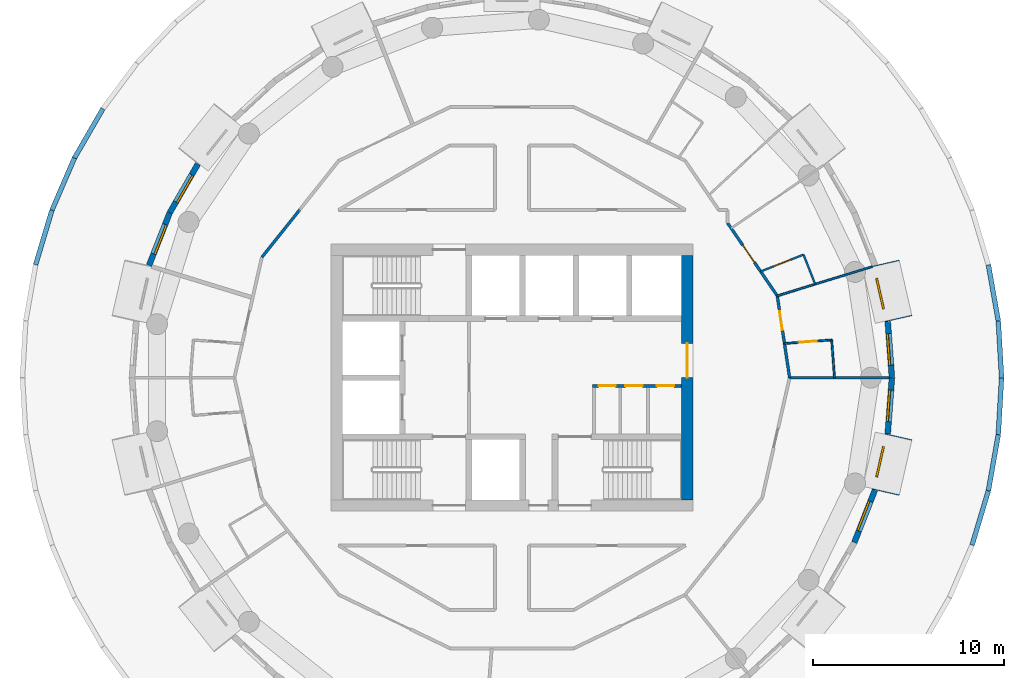
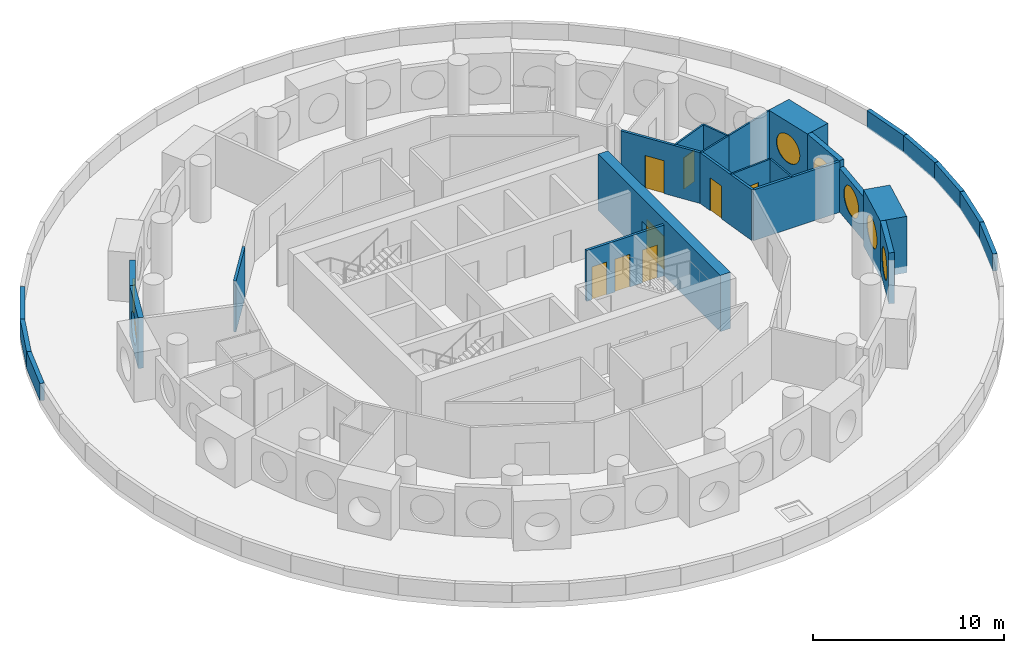
# One storey, part 7 of 13: 27 walls, 8 doors, 7 windows, 15 openings.
"""IFC4 building model written with IfcOpenShell, lengths in metres."""

import ifcopenshell
import ifcopenshell.guid

model = None  # the IFC model being written
_history = None  # IfcOwnerHistory: only IFC2X3 demands one
_inside = {}  # id of a spatial element -> (the spatial element, [elements in it])
_under = {}  # id of a project, library or spatial element -> (it, [spatial elements below it])
_declared = {}  # id of a project -> (the project, [libraries it declares])
_typed = {}  # id of a type object -> (the type object, [elements of that type])
_made_of = {}  # id of a material, layer set ... -> (it, [elements and type objects made of it])


def new_model(schema):
    """Start an empty IFC model of exactly this schema.

    Asked for "IFC4X3", IfcOpenShell would pick the latest addendum, in which some entities
    have other attributes; the version numbers below select the first issue.
    IFC2X3 requires an IfcOwnerHistory on every rooted entity: one is made here for all.
    """
    global model, _history
    if schema == "IFC4X3":
        model = ifcopenshell.file(schema_version=(4, 3, 0, 0))
    else:
        model = ifcopenshell.file(schema=schema)
    _inside.clear()
    _under.clear()
    _declared.clear()
    _typed.clear()
    _made_of.clear()
    _history = None
    if model.schema == "IFC2X3":
        org = make("IfcOrganization", Name="unknown")
        user = make(
            "IfcPersonAndOrganization",
            ThePerson=make("IfcPerson", FamilyName="unknown"),
            TheOrganization=org,
        )
        app = make(
            "IfcApplication",
            ApplicationDeveloper=org,
            Version="unknown",
            ApplicationFullName="unknown",
            ApplicationIdentifier="unknown",
        )
        _history = make(
            "IfcOwnerHistory",
            OwningUser=user,
            OwningApplication=app,
            ChangeAction="ADDED",
            CreationDate=0,
        )
    return model


def make(cls, **values):
    """One entity of the class cls with the attributes given. An attribute that is None is left unset."""
    return model.create_entity(
        cls, **{name: value for name, value in values.items() if value is not None}
    )


def rooted(cls, **values):
    """An entity with a GlobalId (a new one), such as an element, a storey or a relation."""
    return make(cls, GlobalId=ifcopenshell.guid.new(), OwnerHistory=_history, **values)


def si_unit(unit_type, name, prefix=None):
    """IfcSIUnit, for example si_unit("LENGTHUNIT", "METRE", prefix="MILLI")."""
    return make("IfcSIUnit", UnitType=unit_type, Prefix=prefix, Name=name)


def assignment(units):
    """IfcUnitAssignment: the units of a project."""
    return None if units is None else make("IfcUnitAssignment", Units=units)


def point(xyz):
    """IfcCartesianPoint."""
    return None if xyz is None else make("IfcCartesianPoint", Coordinates=xyz)


def direction(xyz):
    """IfcDirection."""
    return None if xyz is None else make("IfcDirection", DirectionRatios=xyz)


def frame(location, z_axis=None, x_axis=None):
    """IfcAxis2Placement3D, a coordinate frame: its origin and axes. An axis left out is left unset."""
    return make(
        "IfcAxis2Placement3D",
        Location=point(location),
        Axis=direction(z_axis),
        RefDirection=direction(x_axis),
    )


def frame_2d(location, x_axis=None):
    """IfcAxis2Placement2D, a coordinate frame in the plane: its origin and x axis."""
    return make(
        "IfcAxis2Placement2D", Location=point(location), RefDirection=direction(x_axis)
    )


def origin():
    """The frame at (0, 0, 0) with its axes left unset."""
    return frame((0.0, 0.0, 0.0))


def origin_2d():
    """The frame at (0, 0) in the plane with its x axis left unset."""
    return frame_2d((0.0, 0.0))


def place(relative_to, where):
    """IfcLocalPlacement: puts the frame where relative to a parent placement (None: the world)."""
    return make(
        "IfcLocalPlacement", PlacementRelTo=relative_to, RelativePlacement=where
    )


def context(
    kind, dimensions, precision=None, world=None, true_north=None, identifier=None
):
    """IfcGeometricRepresentationContext, for example the 3D "Model" context."""
    return make(
        "IfcGeometricRepresentationContext",
        ContextIdentifier=identifier,
        ContextType=kind,
        CoordinateSpaceDimension=dimensions,
        Precision=precision,
        WorldCoordinateSystem=world,
        TrueNorth=true_north,
    )


def subcontext(parent, identifier, kind, view, scale=None):
    """IfcGeometricRepresentationSubContext, for example "Body" below "Model"."""
    return make(
        "IfcGeometricRepresentationSubContext",
        ContextIdentifier=identifier,
        ContextType=kind,
        ParentContext=parent,
        TargetScale=scale,
        TargetView=view,
    )


def project(units=None, contexts=None):
    """IfcProject with its units and contexts."""
    return rooted(
        "IfcProject",
        Name="project",
        RepresentationContexts=contexts,
        UnitsInContext=assignment(units),
    )


def spatial(cls, under=None, at=None, **own):
    """A site, building, storey or space (cls), placed at a placement, below another one or the project."""
    s = rooted(cls, ObjectPlacement=at, **own)
    if under is not None:
        _under.setdefault(under.id(), (under, []))[1].append(s)
    return s


def profile(cls, at=None, kind="AREA", **sizes):
    """A parametric profile (cls). Its sizes go by their IFC names, for example OverallWidth=200.0."""
    return make(cls, ProfileType=kind, Position=at, **sizes)


def rectangle(**sizes):
    """IfcRectangleProfileDef."""
    return profile("IfcRectangleProfileDef", **sizes)


def circle(**sizes):
    """IfcCircleProfileDef."""
    return profile("IfcCircleProfileDef", **sizes)


def extrude(swept, where, along, depth):
    """IfcExtrudedAreaSolid: the profile swept, set in the frame where, extruded along a direction by depth."""
    return make(
        "IfcExtrudedAreaSolid",
        SweptArea=swept,
        Position=where,
        ExtrudedDirection=direction(along),
        Depth=depth,
    )


def shape(context_of_items, identifier, shape_type, items):
    """IfcShapeRepresentation: the items that make up one representation, for example the "Body"."""
    return make(
        "IfcShapeRepresentation",
        ContextOfItems=context_of_items,
        RepresentationIdentifier=identifier,
        RepresentationType=shape_type,
        Items=items,
    )


def material(Name=None, Category=None):
    """IfcMaterial."""
    return make("IfcMaterial", Name=Name, Category=Category)


def layer(
    of_material, thickness, ventilated=None, Name=None, Category=None, Priority=None
):
    """IfcMaterialLayer: one layer of a wall or slab, of a material (None: an air gap)."""
    return make(
        "IfcMaterialLayer",
        Material=of_material,
        LayerThickness=thickness,
        IsVentilated=ventilated,
        Name=Name,
        Category=Category,
        Priority=Priority,
    )


def layer_set(layers, Name=None):
    """IfcMaterialLayerSet."""
    return make("IfcMaterialLayerSet", MaterialLayers=layers, LayerSetName=Name)


def made_of(thing, what):
    """Note that an element or type object is made of a material, layer set ...; save() writes the relation."""
    if what is not None:
        _made_of.setdefault(what.id(), (what, []))[1].append(thing)
    return thing


def type_object(cls, material=None, **own):
    """A type object (cls), such as IfcWallType, which elements share."""
    return made_of(rooted(cls, **own), material)


def element(
    cls,
    number,
    at=None,
    inside=None,
    cuts=None,
    type_object=None,
    material=None,
    context=None,
    identifier="Body",
    shape_type=None,
    held_by="IfcProductDefinitionShape",
    body=None,
    shapes=None,
    **own,
):
    """One element of the class cls, such as IfcWall. Its Tag is "e" and its number.

    at: its placement. inside: the storey or other place that contains it. cuts: it is an
    opening in that element (IfcRelVoidsElement). A single representation is given by context,
    identifier, shape_type and body (its items); several are given by shapes. held_by: the class
    of the entity that holds the representations. save() writes the other relations.
    """
    e = rooted(cls, Tag="e%d" % number, ObjectPlacement=at, **own)
    if body is not None:
        shapes = [shape(context, identifier, shape_type, body)]
    if shapes is not None:
        e.Representation = make(held_by, Representations=shapes)
    if inside is not None:
        _inside.setdefault(inside.id(), (inside, []))[1].append(e)
    if cuts is not None:
        rooted(
            "IfcRelVoidsElement", RelatingBuildingElement=cuts, RelatedOpeningElement=e
        )
    if type_object is not None:
        _typed.setdefault(type_object.id(), (type_object, []))[1].append(e)
    return made_of(e, material)


def fill(opening, filler):
    """IfcRelFillsElement: the door or window that sits in an opening."""
    return rooted(
        "IfcRelFillsElement",
        RelatingOpeningElement=opening,
        RelatedBuildingElement=filler,
    )


def aggregate(whole, parts):
    """IfcRelAggregates: a whole, such as a stair, and the parts it consists of."""
    return rooted("IfcRelAggregates", RelatingObject=whole, RelatedObjects=parts)


def save(model, path):
    """Write the relations noted so far, then the file.

    IfcRelAggregates (storeys below a building ...), IfcRelContainedInSpatialStructure (elements
    in a storey), IfcRelDefinesByType, IfcRelAssociatesMaterial and IfcRelDeclares: one each for
    every whole, place, type object, material and project.
    """
    for whole, parts in _under.values():
        aggregate(whole, parts)
    for where, things in _inside.values():
        rooted(
            "IfcRelContainedInSpatialStructure",
            RelatedElements=things,
            RelatingStructure=where,
        )
    for kind, things in _typed.values():
        rooted("IfcRelDefinesByType", RelatedObjects=things, RelatingType=kind)
    for what, things in _made_of.values():
        rooted("IfcRelAssociatesMaterial", RelatedObjects=things, RelatingMaterial=what)
    for by, libraries in _declared.values():
        rooted("IfcRelDeclares", RelatingContext=by, RelatedDefinitions=libraries)
    model.write(path)


model = new_model("IFC4")

# Units and contexts
model_context = context("Model", 3, precision=1e-05, world=origin(), true_north=direction((0.0, 1.0)))
body_context = subcontext(model_context, "Body", "Model", "MODEL_VIEW")
ifc_project = project(units=[si_unit("LENGTHUNIT", "METRE"), si_unit("AREAUNIT", "SQUARE_METRE"), si_unit("VOLUMEUNIT", "CUBIC_METRE"), si_unit("PLANEANGLEUNIT", "RADIAN"), si_unit("MASSUNIT", "GRAM", prefix="KILO")], contexts=[model_context])

# Site, building, storey
site_placement = place(None, origin())
site = spatial("IfcSite", under=ifc_project, at=site_placement, CompositionType="ELEMENT")
building_placement = place(site_placement, origin())
building = spatial("IfcBuilding", under=site, at=building_placement, Name="Tracery Tower", CompositionType="ELEMENT")
storey_placement = place(building_placement, frame((0.0, 0.0, 231.0)))
storey = spatial("IfcBuildingStorey", under=building, at=storey_placement, Name="L59", CompositionType="ELEMENT", Elevation=231.0)

# Wall, openings, doors
ifc_material_1 = material(Name="Plasterboard on steel studs", Category="steel")
ifc_layer_1 = layer(ifc_material_1, 0.14990234375)
ifc_layer_set_1 = layer_set([ifc_layer_1], Name="Core room partition 150")
wall_type_1 = type_object("IfcWallType", Name="Core room partition 150", PredefinedType="SOLIDWALL", material=ifc_layer_set_1)
wall_1_placement = place(storey_placement, frame((4.22509765625, -0.425048828125, 0.0), z_axis=(0.0, 0.0, 1.0), x_axis=(1.0, 0.0, 0.0)))
wall_1 = element("IfcWall", 1, at=wall_1_placement, inside=storey, type_object=wall_type_1, Name="L59 slot N", PredefinedType="SOLIDWALL", context=body_context, shape_type="SweptSolid", body=[
    extrude(rectangle(XDim=4.6748046875, YDim=0.14990234375, at=frame_2d((2.33740234375, 0.0))), origin(), (0.0, 0.0, 1.0), 3.25),
])
opening_1_placement = place(wall_1_placement, frame((0.3125, 0.0, 0.0)))
opening_1 = element("IfcOpeningElement", 2, at=opening_1_placement, cuts=wall_1, Name="Opening KD32", PredefinedType="OPENING", context=body_context, shape_type="SweptSolid", body=[
    extrude(rectangle(XDim=0.89990234375, YDim=2.10009765625, at=frame_2d((0.449951171875, 1.050048828125))), frame((0.0, 0.074951171875, 0.0), z_axis=(0.0, -1.0, 0.0), x_axis=(1.0, 0.0, 0.0)), (0.0, 0.0, 1.0), 0.14990234375),
])
opening_2_placement = place(wall_1_placement, frame((1.72509765625, 0.0, 0.0)))
opening_2 = element("IfcOpeningElement", 3, at=opening_2_placement, cuts=wall_1, Name="Opening KD26", PredefinedType="OPENING", context=body_context, shape_type="SweptSolid", body=[
    extrude(rectangle(XDim=0.89990234375, YDim=2.10009765625, at=frame_2d((0.449951171875, 1.050048828125))), frame((0.0, 0.074951171875, 0.0), z_axis=(0.0, -1.0, 0.0), x_axis=(1.0, 0.0, 0.0)), (0.0, 0.0, 1.0), 0.14990234375),
])
opening_3_placement = place(wall_1_placement, frame((3.375, 0.0, 0.0)))
opening_3 = element("IfcOpeningElement", 4, at=opening_3_placement, cuts=wall_1, Name="Opening KD22", PredefinedType="OPENING", context=body_context, shape_type="SweptSolid", body=[
    extrude(rectangle(XDim=0.89990234375, YDim=2.10009765625, at=frame_2d((0.449951171875, 1.050048828125))), frame((0.0, 0.074951171875, 0.0), z_axis=(0.0, -1.0, 0.0), x_axis=(1.0, 0.0, 0.0)), (0.0, 0.0, 1.0), 0.14990234375),
])
ifc_material_2 = material(Name="Timber door leaf", Category="wood")
door_type_1 = type_object("IfcDoorType", Name="Core WC door 900", OperationType="NOTDEFINED", PredefinedType="DOOR", material=ifc_material_2)
door_1_placement = place(opening_3_placement, origin())
door_1 = element("IfcDoor", 5, at=door_1_placement, inside=storey, type_object=door_type_1, Name="Core door", OperationType="SINGLE_SWING_RIGHT", OverallHeight=2.10009765625, OverallWidth=0.89990234375, PredefinedType="DOOR", context=body_context, shape_type="SweptSolid", body=[
    extrude(rectangle(XDim=0.89990234375, YDim=2.10009765625, at=frame_2d((0.449951171875, 1.050048828125))), frame((0.0, 0.02490234375, 0.0), z_axis=(0.0, -1.0, 0.0), x_axis=(1.0, 0.0, 0.0)), (0.0, 0.0, 1.0), 0.050048828125),
])
fill(opening_3, door_1)
ifc_material_3 = material(Name="Steel fire door", Category="steel")
door_type_2 = type_object("IfcDoorType", Name="Core riser door 900", OperationType="NOTDEFINED", PredefinedType="DOOR", material=ifc_material_3)
door_2_placement = place(opening_1_placement, origin())
door_2 = element("IfcDoor", 6, at=door_2_placement, inside=storey, type_object=door_type_2, Name="Core door", OperationType="SINGLE_SWING_RIGHT", OverallHeight=2.10009765625, OverallWidth=0.89990234375, PredefinedType="DOOR", context=body_context, shape_type="SweptSolid", body=[
    extrude(rectangle(XDim=0.89990234375, YDim=2.10009765625, at=frame_2d((0.449951171875, 1.050048828125))), frame((0.0, 0.02490234375, 0.0), z_axis=(0.0, -1.0, 0.0), x_axis=(1.0, 0.0, 0.0)), (0.0, 0.0, 1.0), 0.050048828125),
])
fill(opening_1, door_2)
ifc_material_4 = material(Name="Timber door leaf", Category="wood")
door_type_3 = type_object("IfcDoorType", Name="Core store door 900", OperationType="NOTDEFINED", PredefinedType="DOOR", material=ifc_material_4)
door_3_placement = place(opening_2_placement, origin())
door_3 = element("IfcDoor", 7, at=door_3_placement, inside=storey, type_object=door_type_3, Name="Core door", OperationType="SINGLE_SWING_LEFT", OverallHeight=2.10009765625, OverallWidth=0.89990234375, PredefinedType="DOOR", context=body_context, shape_type="SweptSolid", body=[
    extrude(rectangle(XDim=0.89990234375, YDim=2.10009765625, at=frame_2d((0.449951171875, 1.050048828125))), frame((0.0, 0.02490234375, 0.0), z_axis=(0.0, -1.0, 0.0), x_axis=(1.0, 0.0, 0.0)), (0.0, 0.0, 1.0), 0.050048828125),
])
fill(opening_2, door_3)

# Wall, opening, door
ifc_material_5 = material(Name="Concrete C40/50", Category="concrete")
ifc_layer_2 = layer(ifc_material_5, 0.60009765625)
ifc_layer_set_2 = layer_set([ifc_layer_2], Name="Core wall 600 C40")
wall_type_2 = type_object("IfcWallType", Name="Core wall 600 C40", PredefinedType="SOLIDWALL", material=ifc_layer_set_2)
wall_2_placement = place(storey_placement, frame((9.199951171875, -6.39990234375, 0.0), z_axis=(0.0, 0.0, 1.0), x_axis=(0.0, 1.0, 0.0)))
wall_2 = element("IfcWall", 8, at=wall_2_placement, inside=storey, type_object=wall_type_2, Name="L59 outer E", PredefinedType="SOLIDWALL", context=body_context, shape_type="SweptSolid", body=[
    extrude(rectangle(XDim=12.7998046875, YDim=0.60009765625, at=frame_2d((6.39990234375, 0.0))), origin(), (0.0, 0.0, 1.0), 3.60009765625),
])
opening_4_placement = place(wall_2_placement, frame((6.39990234375, 0.0, 0.0)))
opening_4 = element("IfcOpeningElement", 9, at=opening_4_placement, cuts=wall_2, Name="Opening KD13", PredefinedType="OPENING", context=body_context, shape_type="SweptSolid", body=[
    extrude(rectangle(XDim=1.800048828125, YDim=2.10009765625, at=frame_2d((0.89990234375, 1.050048828125))), frame((0.0, 0.300048828125, 0.0), z_axis=(0.0, -1.0, 0.0), x_axis=(1.0, 0.0, 0.0)), (0.0, 0.0, 1.0), 0.60009765625),
])
ifc_material_6 = material(Name="Steel fire door", Category="steel")
door_type_4 = type_object("IfcDoorType", Name="Core exit door 1800 double", OperationType="NOTDEFINED", PredefinedType="DOOR", material=ifc_material_6)
door_4_placement = place(opening_4_placement, origin())
door_4 = element("IfcDoor", 10, at=door_4_placement, inside=storey, type_object=door_type_4, Name="Core exit door", OperationType="DOUBLE_DOOR_SINGLE_SWING", OverallHeight=2.10009765625, OverallWidth=1.800048828125, PredefinedType="DOOR", context=body_context, shape_type="SweptSolid", body=[
    extrude(rectangle(XDim=1.800048828125, YDim=2.10009765625, at=frame_2d((0.89990234375, 1.050048828125))), frame((0.0, 0.02490234375, 0.0), z_axis=(0.0, -1.0, 0.0), x_axis=(1.0, 0.0, 0.0)), (0.0, 0.0, 1.0), 0.050048828125),
])
fill(opening_4, door_4)

# Wall, opening, window
ifc_material_7 = material(Name="Precast concrete C50/60", Category="concrete")
ifc_layer_3 = layer(ifc_material_7, 1.449951171875)
ifc_layer_set_3 = layer_set([ifc_layer_3], Name="Deep-set bay unit 3000 x 3600, slab edge 350")
wall_type_3 = type_object("IfcWallType", Name="Deep-set bay unit 3000 x 3600, slab edge 350", PredefinedType="ELEMENTEDWALL", material=ifc_layer_set_3)
wall_3_placement = place(storey_placement, frame((20.262451171875, 3.086181640625, -0.35009765625), z_axis=(0.0, 0.0, 1.0), x_axis=(-0.222570682856, 0.974916555985, 0.0)))
wall_3 = element("IfcWall", 11, at=wall_3_placement, inside=storey, type_object=wall_type_3, Name="Deep-set bay unit 2 at L59", PredefinedType="ELEMENTEDWALL", context=body_context, shape_type="SweptSolid", body=[
    extrude(rectangle(XDim=3.0, YDim=1.449951171875, at=frame_2d((1.5, 0.0))), origin(), (0.0, 0.0, 1.0), 3.60009765625),
])
opening_5_placement = place(wall_3_placement, frame((1.5, 0.0, 1.89990234375)))
opening_5 = element("IfcOpeningElement", 12, at=opening_5_placement, cuts=wall_3, Name="Opening WN1", PredefinedType="OPENING", context=body_context, shape_type="SweptSolid", body=[
    extrude(circle(Radius=0.9000244140625, at=origin_2d()), frame((0.0, 0.73486328125, 0.0), z_axis=(0.0, -1.0, 0.0), x_axis=(1.0, 0.0, 0.0)), (0.0, 0.0, 1.0), 1.469970703125),
])
ifc_material_8 = material(Name="Aluminium frame with tinted double glazing", Category="aluminium")
window_type = type_object("IfcWindowType", Name="Round window 1800", PartitioningType="SINGLE_PANEL", PredefinedType="WINDOW", material=ifc_material_8)
window_1_placement = place(opening_5_placement, origin())
window_1 = element("IfcWindow", 13, at=window_1_placement, inside=storey, type_object=window_type, Name="Round window 2 at L59", OverallHeight=1.800048828125, OverallWidth=1.800048828125, PartitioningType="SINGLE_PANEL", PredefinedType="WINDOW", context=body_context, shape_type="SweptSolid", body=[
    extrude(circle(Radius=0.9000244140625, at=origin_2d()), frame((0.0, 0.69482421875, 0.0), z_axis=(0.0, -1.0, 0.0), x_axis=(1.0, 0.0, 0.0)), (0.0, 0.0, 1.0), 0.10009765625),
])
fill(opening_5, window_1)

wall_4_placement = place(storey_placement, frame((19.5947265625, -6.010986328125, -0.35009765625), z_axis=(0.0, 0.0, 1.0), x_axis=(0.222570682856, 0.974916555985, 0.0)))
wall_4 = element("IfcWall", 14, at=wall_4_placement, inside=storey, type_object=wall_type_3, Name="Deep-set bay unit 41 at L59", PredefinedType="ELEMENTEDWALL", context=body_context, shape_type="SweptSolid", body=[
    extrude(rectangle(XDim=3.0, YDim=1.449951171875, at=frame_2d((1.5, 0.0))), origin(), (0.0, 0.0, 1.0), 3.60009765625),
])
opening_6_placement = place(wall_4_placement, frame((1.5, 0.0, 1.89990234375)))
opening_6 = element("IfcOpeningElement", 15, at=opening_6_placement, cuts=wall_4, Name="Opening WN1", PredefinedType="OPENING", context=body_context, shape_type="SweptSolid", body=[
    extrude(circle(Radius=0.9000244140625, at=origin_2d()), frame((0.0, 0.73486328125, 0.0), z_axis=(0.0, -1.0, 0.0), x_axis=(1.0, 0.0, 0.0)), (0.0, 0.0, 1.0), 1.469970703125),
])
window_2_placement = place(opening_6_placement, origin())
window_2 = element("IfcWindow", 16, at=window_2_placement, inside=storey, type_object=window_type, Name="Round window 41 at L59", OverallHeight=1.800048828125, OverallWidth=1.800048828125, PartitioningType="SINGLE_PANEL", PredefinedType="WINDOW", context=body_context, shape_type="SweptSolid", body=[
    extrude(circle(Radius=0.9000244140625, at=origin_2d()), frame((0.0, 0.69482421875, 0.0), z_axis=(0.0, -1.0, 0.0), x_axis=(1.0, 0.0, 0.0)), (0.0, 0.0, 1.0), 0.10009765625),
])
fill(opening_6, window_2)

ifc_material_9 = material(Name="Precast concrete C50/60", Category="concrete")
ifc_layer_4 = layer(ifc_material_9, 0.300048828125)
ifc_layer_set_4 = layer_set([ifc_layer_4], Name="Facade panel 3000 x 2800")
wall_type_4 = type_object("IfcWallType", Name="Facade panel 3000 x 2800", PredefinedType="SOLIDWALL", material=ifc_layer_set_4)
wall_5_placement = place(storey_placement, frame((-16.4677734375, 11.209228515625, 0.0), z_axis=(0.0, 0.0, 1.0), x_axis=(-0.500012570604, -0.866018146021, 0.0)))
wall_5 = element("IfcWall", 17, at=wall_5_placement, inside=storey, type_object=wall_type_4, Name="Facade panel 18 at L59", PredefinedType="SOLIDWALL", context=body_context, shape_type="SweptSolid", body=[
    extrude(rectangle(XDim=2.96240234375, YDim=0.300048828125, at=frame_2d((1.481201171875, 0.0))), origin(), (0.0, 0.0, 1.0), 2.800048828125),
])
opening_7_placement = place(wall_5_placement, frame((1.48095703125, 0.0, 1.5498046875)))
opening_7 = element("IfcOpeningElement", 18, at=opening_7_placement, cuts=wall_5, Name="Opening WN1", PredefinedType="OPENING", context=body_context, shape_type="SweptSolid", body=[
    extrude(circle(Radius=0.9000244140625, at=origin_2d()), frame((0.0, 0.159912109375, 0.0), z_axis=(0.0, -1.0, 0.0), x_axis=(1.0, 0.0, 0.0)), (0.0, 0.0, 1.0), 0.320068359375),
])
window_3_placement = place(opening_7_placement, origin())
window_3 = element("IfcWindow", 19, at=window_3_placement, inside=storey, type_object=window_type, Name="Round window 18 at L59", OverallHeight=1.800048828125, OverallWidth=1.800048828125, PartitioningType="SINGLE_PANEL", PredefinedType="WINDOW", context=body_context, shape_type="SweptSolid", body=[
    extrude(circle(Radius=0.9000244140625, at=origin_2d()), frame((0.0, 0.1201171875, 0.0), z_axis=(0.0, -1.0, 0.0), x_axis=(1.0, 0.0, 0.0)), (0.0, 0.0, 1.0), 0.10009765625),
])
fill(opening_7, window_3)

wall_6_placement = place(storey_placement, frame((19.700439453125, -2.953857421875, 0.0), z_axis=(0.0, 0.0, 1.0), x_axis=(0.074755115547, 0.997201921729, 0.0)))
wall_6 = element("IfcWall", 20, at=wall_6_placement, inside=storey, type_object=wall_type_4, Name="Facade panel 42 at L59", PredefinedType="SOLIDWALL", context=body_context, shape_type="SweptSolid", body=[
    extrude(rectangle(XDim=2.962158203125, YDim=0.300048828125, at=frame_2d((1.48095703125, 0.0))), origin(), (0.0, 0.0, 1.0), 2.800048828125),
])
opening_8_placement = place(wall_6_placement, frame((1.48095703125, 0.0, 1.5498046875)))
opening_8 = element("IfcOpeningElement", 21, at=opening_8_placement, cuts=wall_6, Name="Opening WN1", PredefinedType="OPENING", context=body_context, shape_type="SweptSolid", body=[
    extrude(circle(Radius=0.9000244140625, at=origin_2d()), frame((0.0, 0.159912109375, 0.0), z_axis=(0.0, -1.0, 0.0), x_axis=(1.0, 0.0, 0.0)), (0.0, 0.0, 1.0), 0.320068359375),
])
window_4_placement = place(opening_8_placement, origin())
window_4 = element("IfcWindow", 22, at=window_4_placement, inside=storey, type_object=window_type, Name="Round window 42 at L59", OverallHeight=1.800048828125, OverallWidth=1.800048828125, PartitioningType="SINGLE_PANEL", PredefinedType="WINDOW", context=body_context, shape_type="SweptSolid", body=[
    extrude(circle(Radius=0.9000244140625, at=origin_2d()), frame((0.0, 0.1201171875, 0.0), z_axis=(0.0, -1.0, 0.0), x_axis=(1.0, 0.0, 0.0)), (0.0, 0.0, 1.0), 0.10009765625),
])
fill(opening_8, window_4)

ifc_material_10 = material(Name="Precast concrete C50/60", Category="concrete")
ifc_layer_5 = layer(ifc_material_10, 0.300048828125)
ifc_layer_set_5 = layer_set([ifc_layer_5], Name="Facade panel 3000 x 3250")
wall_type_5 = type_object("IfcWallType", Name="Facade panel 3000 x 3250", PredefinedType="SOLIDWALL", material=ifc_layer_set_5)
wall_7_placement = place(storey_placement, frame((19.921875, 0.0, 0.0), z_axis=(0.0, 0.0, 1.0), x_axis=(-0.074755115547, 0.997201921729, 0.0)))
wall_7 = element("IfcWall", 23, at=wall_7_placement, inside=storey, type_object=wall_type_5, Name="Facade panel 1 at L59", PredefinedType="SOLIDWALL", context=body_context, shape_type="SweptSolid", body=[
    extrude(rectangle(XDim=2.962158203125, YDim=0.300048828125, at=frame_2d((1.48095703125, 0.0))), origin(), (0.0, 0.0, 1.0), 3.25),
])
opening_9_placement = place(wall_7_placement, frame((1.48095703125, 0.0, 1.5498046875)))
opening_9 = element("IfcOpeningElement", 24, at=opening_9_placement, cuts=wall_7, Name="Opening WN1", PredefinedType="OPENING", context=body_context, shape_type="SweptSolid", body=[
    extrude(circle(Radius=0.9000244140625, at=origin_2d()), frame((0.0, 0.159912109375, 0.0), z_axis=(0.0, -1.0, 0.0), x_axis=(1.0, 0.0, 0.0)), (0.0, 0.0, 1.0), 0.320068359375),
])
window_5_placement = place(opening_9_placement, origin())
window_5 = element("IfcWindow", 25, at=window_5_placement, inside=storey, type_object=window_type, Name="Round window 1 at L59", OverallHeight=1.800048828125, OverallWidth=1.800048828125, PartitioningType="SINGLE_PANEL", PredefinedType="WINDOW", context=body_context, shape_type="SweptSolid", body=[
    extrude(circle(Radius=0.9000244140625, at=origin_2d()), frame((0.0, 0.1201171875, 0.0), z_axis=(0.0, -1.0, 0.0), x_axis=(1.0, 0.0, 0.0)), (0.0, 0.0, 1.0), 0.10009765625),
])
fill(opening_9, window_5)

wall_8_placement = place(storey_placement, frame((-17.948974609375, 8.643798828125, 0.0), z_axis=(0.0, 0.0, 1.0), x_axis=(-0.365343821297, -0.930872650925, 0.0)))
wall_8 = element("IfcWall", 26, at=wall_8_placement, inside=storey, type_object=wall_type_5, Name="Facade panel 19 at L59", PredefinedType="SOLIDWALL", context=body_context, shape_type="SweptSolid", body=[
    extrude(rectangle(XDim=2.96240234375, YDim=0.300048828125, at=frame_2d((1.481201171875, 0.0))), origin(), (0.0, 0.0, 1.0), 3.25),
])
opening_10_placement = place(wall_8_placement, frame((1.48095703125, 0.0, 1.5498046875)))
opening_10 = element("IfcOpeningElement", 27, at=opening_10_placement, cuts=wall_8, Name="Opening WN1", PredefinedType="OPENING", context=body_context, shape_type="SweptSolid", body=[
    extrude(circle(Radius=0.9000244140625, at=origin_2d()), frame((0.0, 0.159912109375, 0.0), z_axis=(0.0, -1.0, 0.0), x_axis=(1.0, 0.0, 0.0)), (0.0, 0.0, 1.0), 0.320068359375),
])
window_6_placement = place(opening_10_placement, origin())
window_6 = element("IfcWindow", 28, at=window_6_placement, inside=storey, type_object=window_type, Name="Round window 19 at L59", OverallHeight=1.800048828125, OverallWidth=1.800048828125, PartitioningType="SINGLE_PANEL", PredefinedType="WINDOW", context=body_context, shape_type="SweptSolid", body=[
    extrude(circle(Radius=0.9000244140625, at=origin_2d()), frame((0.0, 0.1201171875, 0.0), z_axis=(0.0, -1.0, 0.0), x_axis=(1.0, 0.0, 0.0)), (0.0, 0.0, 1.0), 0.10009765625),
])
fill(opening_10, window_6)

wall_9_placement = place(storey_placement, frame((17.948974609375, -8.643798828125, 0.0), z_axis=(0.0, 0.0, 1.0), x_axis=(0.365343821297, 0.930872650925, 0.0)))
wall_9 = element("IfcWall", 29, at=wall_9_placement, inside=storey, type_object=wall_type_5, Name="Facade panel 40 at L59", PredefinedType="SOLIDWALL", context=body_context, shape_type="SweptSolid", body=[
    extrude(rectangle(XDim=2.96240234375, YDim=0.300048828125, at=frame_2d((1.481201171875, 0.0))), origin(), (0.0, 0.0, 1.0), 3.25),
])
opening_11_placement = place(wall_9_placement, frame((1.48095703125, 0.0, 1.5498046875)))
opening_11 = element("IfcOpeningElement", 30, at=opening_11_placement, cuts=wall_9, Name="Opening WN1", PredefinedType="OPENING", context=body_context, shape_type="SweptSolid", body=[
    extrude(circle(Radius=0.9000244140625, at=origin_2d()), frame((0.0, 0.159912109375, 0.0), z_axis=(0.0, -1.0, 0.0), x_axis=(1.0, 0.0, 0.0)), (0.0, 0.0, 1.0), 0.320068359375),
])
window_7_placement = place(opening_11_placement, origin())
window_7 = element("IfcWindow", 31, at=window_7_placement, inside=storey, type_object=window_type, Name="Round window 40 at L59", OverallHeight=1.800048828125, OverallWidth=1.800048828125, PartitioningType="SINGLE_PANEL", PredefinedType="WINDOW", context=body_context, shape_type="SweptSolid", body=[
    extrude(circle(Radius=0.9000244140625, at=origin_2d()), frame((0.0, 0.1201171875, 0.0), z_axis=(0.0, -1.0, 0.0), x_axis=(1.0, 0.0, 0.0)), (0.0, 0.0, 1.0), 0.10009765625),
])
fill(opening_11, window_7)

# Walls
ifc_material_11 = material(Name="Plasterboard on steel studs", Category="steel")
ifc_layer_6 = layer(ifc_material_11, 0.10009765625)
ifc_layer_set_6 = layer_set([ifc_layer_6], Name="Partition 100 stud")
wall_type_6 = type_object("IfcWallType", Name="Partition 100 stud", PredefinedType="PARTITIONING", material=ifc_layer_set_6)
wall_10_placement = place(storey_placement, frame((15.89599609375, 4.904052734375, 0.0), z_axis=(0.0, 0.0, 1.0), x_axis=(0.955630770746, 0.294567190983, 0.0)))
element("IfcWall", 32, at=wall_10_placement, inside=storey, type_object=wall_type_6, Name="Stud partition RC1-049", PredefinedType="PARTITIONING", context=body_context, shape_type="SweptSolid", body=[
    extrude(rectangle(XDim=3.13623046875, YDim=0.10009765625, at=frame_2d((1.568115234375, 0.0))), origin(), (0.0, 0.0, 1.0), 3.25),
])
ifc_material_12 = material(Name="Plasterboard on steel studs", Category="steel")
ifc_layer_7 = layer(ifc_material_12, 0.10009765625)
ifc_layer_set_7 = layer_set([ifc_layer_7], Name="Partition 100 wet wall")
wall_type_7 = type_object("IfcWallType", Name="Partition 100 wet wall", PredefinedType="PARTITIONING", material=ifc_layer_set_7)
wall_11_placement = place(storey_placement, frame((15.287109375, 6.4541015625, 0.0), z_axis=(0.0, 0.0, 1.0), x_axis=(0.365620622357, -0.930763966056, 0.0)))
element("IfcWall", 33, at=wall_11_placement, inside=storey, type_object=wall_type_7, Name="Wet wall RC1-047", PredefinedType="PARTITIONING", context=body_context, shape_type="SweptSolid", body=[
    extrude(rectangle(XDim=1.665283203125, YDim=0.10009765625, at=frame_2d((0.83251953125, 0.0))), origin(), (0.0, 0.0, 1.0), 3.25),
])

# Wall, opening, door
wall_12_placement = place(storey_placement, frame((13.037109375, 5.571044921875, 0.0), z_axis=(0.0, 0.0, 1.0), x_axis=(0.930874211086, 0.365339846083, 0.0)))
wall_12 = element("IfcWall", 34, at=wall_12_placement, inside=storey, type_object=wall_type_7, Name="Wet wall RC1-048", PredefinedType="PARTITIONING", context=body_context, shape_type="SweptSolid", body=[
    extrude(rectangle(XDim=2.4169921875, YDim=0.10009765625, at=frame_2d((1.20849609375, 0.0))), origin(), (0.0, 0.0, 1.0), 3.25),
])
opening_12_placement = place(wall_12_placement, frame((0.758056640625, 0.0, 0.0)))
opening_12 = element("IfcOpeningElement", 35, at=opening_12_placement, cuts=wall_12, Name="Opening RC1-07", PredefinedType="OPENING", context=body_context, shape_type="SweptSolid", body=[
    extrude(rectangle(XDim=0.89990234375, YDim=2.0, at=frame_2d((0.449951171875, 1.0))), frame((0.0, 0.050048828125, 0.0), z_axis=(0.0, -1.0, 0.0), x_axis=(1.0, 0.0, 0.0)), (0.0, 0.0, 1.0), 0.10009765625),
])
ifc_material_13 = material(Name="Timber door leaf", Category="wood")
door_type_5 = type_object("IfcDoorType", Name="Door shower room 900", OperationType="NOTDEFINED", PredefinedType="DOOR", material=ifc_material_13)
door_5_placement = place(opening_12_placement, origin())
door_5 = element("IfcDoor", 36, at=door_5_placement, inside=storey, type_object=door_type_5, Name="Shower room door RC1-07", OperationType="SINGLE_SWING_RIGHT", OverallHeight=2.0, OverallWidth=0.89990234375, PredefinedType="DOOR", context=body_context, shape_type="SweptSolid", body=[
    extrude(rectangle(XDim=0.89990234375, YDim=2.0, at=frame_2d((0.449951171875, 1.0))), frame((0.0, 0.02490234375, 0.0), z_axis=(0.0, -1.0, 0.0), x_axis=(1.0, 0.0, 0.0)), (0.0, 0.0, 1.0), 0.050048828125),
])
fill(opening_12, door_5)

# Walls
wall_13_placement = place(storey_placement, frame((13.909912109375, 4.291015625, 0.0), z_axis=(0.0, 0.0, 1.0), x_axis=(0.955649377322, 0.294506821014, 0.0)))
element("IfcWall", 37, at=wall_13_placement, inside=storey, type_object=wall_type_7, Name="Wet wall RC1-051", PredefinedType="PARTITIONING", context=body_context, shape_type="SweptSolid", body=[
    extrude(rectangle(XDim=2.078369140625, YDim=0.10009765625, at=frame_2d((1.0390625, 0.0))), origin(), (0.0, 0.0, 1.0), 3.25),
])
wall_14_placement = place(storey_placement, frame((16.761962890625, 1.98095703125, 0.0), z_axis=(0.0, 0.0, 1.0), x_axis=(0.074478298815, -0.997222634624, 0.0)))
element("IfcWall", 38, at=wall_14_placement, inside=storey, type_object=wall_type_7, Name="Wet wall RC1-052", PredefinedType="PARTITIONING", context=body_context, shape_type="SweptSolid", body=[
    extrude(rectangle(XDim=1.986572265625, YDim=0.10009765625, at=frame_2d((0.9931640625, 0.0))), origin(), (0.0, 0.0, 1.0), 3.25),
])

# Wall, opening, door
wall_15_placement = place(storey_placement, frame((14.285888671875, 1.794921875, 0.0), z_axis=(0.0, 0.0, 1.0), x_axis=(0.997189401658, 0.074921940846, 0.0)))
wall_15 = element("IfcWall", 39, at=wall_15_placement, inside=storey, type_object=wall_type_7, Name="Wet wall RC1-053", PredefinedType="PARTITIONING", context=body_context, shape_type="SweptSolid", body=[
    extrude(rectangle(XDim=2.483154296875, YDim=0.10009765625, at=frame_2d((1.24169921875, 0.0))), origin(), (0.0, 0.0, 1.0), 3.25),
])
opening_13_placement = place(wall_15_placement, frame((0.7919921875, 0.0, 0.0)))
opening_13 = element("IfcOpeningElement", 40, at=opening_13_placement, cuts=wall_15, Name="Opening RC1-09", PredefinedType="OPENING", context=body_context, shape_type="SweptSolid", body=[
    extrude(rectangle(XDim=0.89990234375, YDim=2.0400390625, at=frame_2d((0.449951171875, 1.02001953125))), frame((0.0, 0.050048828125, 0.0), z_axis=(0.0, -1.0, 0.0), x_axis=(1.0, 0.0, 0.0)), (0.0, 0.0, 1.0), 0.10009765625),
])
ifc_material_14 = material(Name="Timber door leaf", Category="wood")
door_type_6 = type_object("IfcDoorType", Name="Door en-suite 900", OperationType="NOTDEFINED", PredefinedType="DOOR", material=ifc_material_14)
door_6_placement = place(opening_13_placement, origin())
door_6 = element("IfcDoor", 41, at=door_6_placement, inside=storey, type_object=door_type_6, Name="En-suite door RC1-09", OperationType="SINGLE_SWING_LEFT", OverallHeight=2.0400390625, OverallWidth=0.89990234375, PredefinedType="DOOR", context=body_context, shape_type="SweptSolid", body=[
    extrude(rectangle(XDim=0.89990234375, YDim=2.0400390625, at=frame_2d((0.449951171875, 1.02001953125))), frame((0.0, 0.02490234375, 0.0), z_axis=(0.0, -1.0, 0.0), x_axis=(1.0, 0.0, 0.0)), (0.0, 0.0, 1.0), 0.050048828125),
])
fill(opening_13, door_6)

# Wall
ifc_material_15 = material(Name="Plasterboard on steel studs", Category="steel")
ifc_layer_8 = layer(ifc_material_15, 0.14990234375)
ifc_layer_set_8 = layer_set([ifc_layer_8], Name="Partition 150 acoustic unit wall")
wall_type_8 = type_object("IfcWallType", Name="Partition 150 acoustic unit wall", PredefinedType="PARTITIONING", material=ifc_layer_set_8)
wall_16_placement = place(storey_placement, frame((14.556884765625, 0.0, 0.0), z_axis=(0.0, 0.0, 1.0), x_axis=(1.0, 0.0, 0.0)))
element("IfcWall", 42, at=wall_16_placement, inside=storey, type_object=wall_type_8, Name="Unit wall RC1-054", PredefinedType="PARTITIONING", context=body_context, shape_type="SweptSolid", body=[
    extrude(rectangle(XDim=5.214111328125, YDim=0.14990234375, at=frame_2d((2.60693359375, 0.0))), origin(), (0.0, 0.0, 1.0), 3.25),
])

# Wall, opening, door
ifc_material_16 = material(Name="Plasterboard on steel studs", Category="steel")
ifc_layer_9 = layer(ifc_material_16, 0.14990234375)
ifc_layer_set_9 = layer_set([ifc_layer_9], Name="Partition 150 corridor wall")
wall_type_9 = type_object("IfcWallType", Name="Partition 150 corridor wall", PredefinedType="PARTITIONING", material=ifc_layer_set_9)
wall_17_placement = place(storey_placement, frame((11.300048828125, 8.118896484375, 0.0), z_axis=(0.0, 0.0, 1.0), x_axis=(0.56348561488, -0.82612587529, 0.0)))
wall_17 = element("IfcWall", 43, at=wall_17_placement, inside=storey, type_object=wall_type_9, Name="Corridor wall RC1-021", PredefinedType="PARTITIONING", context=body_context, shape_type="SweptSolid", body=[
    extrude(rectangle(XDim=4.633056640625, YDim=0.14990234375, at=frame_2d((2.31640625, 0.0))), origin(), (0.0, 0.0, 1.0), 3.25),
])
opening_14_placement = place(wall_17_placement, frame((1.412841796875, 0.0, 0.0)))
opening_14 = element("IfcOpeningElement", 44, at=opening_14_placement, cuts=wall_17, Name="Opening RC1-05", PredefinedType="OPENING", context=body_context, shape_type="SweptSolid", body=[
    extrude(rectangle(XDim=1.10009765625, YDim=2.10009765625, at=frame_2d((0.550048828125, 1.050048828125))), frame((0.0, 0.074951171875, 0.0), z_axis=(0.0, -1.0, 0.0), x_axis=(1.0, 0.0, 0.0)), (0.0, 0.0, 1.0), 0.14990234375),
])
ifc_material_17 = material(Name="Timber door leaf", Category="wood")
door_type_7 = type_object("IfcDoorType", Name="Door cluster entrance 1100", OperationType="NOTDEFINED", PredefinedType="DOOR", material=ifc_material_17)
door_7_placement = place(opening_14_placement, origin())
door_7 = element("IfcDoor", 45, at=door_7_placement, inside=storey, type_object=door_type_7, Name="Cluster entrance door RC1-05", OperationType="SINGLE_SWING_RIGHT", OverallHeight=2.10009765625, OverallWidth=1.10009765625, PredefinedType="DOOR", context=body_context, shape_type="SweptSolid", body=[
    extrude(rectangle(XDim=1.10009765625, YDim=2.10009765625, at=frame_2d((0.550048828125, 1.050048828125))), frame((0.0, 0.02490234375, 0.0), z_axis=(0.0, -1.0, 0.0), x_axis=(1.0, 0.0, 0.0)), (0.0, 0.0, 1.0), 0.050048828125),
])
fill(opening_14, door_7)

wall_18_placement = place(storey_placement, frame((13.909912109375, 4.291015625, 0.0), z_axis=(0.0, 0.0, 1.0), x_axis=(0.149143716951, -0.988815529659, 0.0)))
wall_18 = element("IfcWall", 46, at=wall_18_placement, inside=storey, type_object=wall_type_9, Name="Corridor wall RC1-022", PredefinedType="PARTITIONING", context=body_context, shape_type="SweptSolid", body=[
    extrude(rectangle(XDim=4.339599609375, YDim=0.14990234375, at=frame_2d((2.169921875, 0.0))), origin(), (0.0, 0.0, 1.0), 3.25),
])
opening_15_placement = place(wall_18_placement, frame((0.821044921875, 0.0, 0.0)))
opening_15 = element("IfcOpeningElement", 47, at=opening_15_placement, cuts=wall_18, Name="Opening RC1-08", PredefinedType="OPENING", context=body_context, shape_type="SweptSolid", body=[
    extrude(rectangle(XDim=1.0, YDim=2.10009765625, at=frame_2d((0.5, 1.050048828125))), frame((0.0, 0.074951171875, 0.0), z_axis=(0.0, -1.0, 0.0), x_axis=(1.0, 0.0, 0.0)), (0.0, 0.0, 1.0), 0.14990234375),
])
ifc_material_18 = material(Name="Timber door leaf", Category="wood")
door_type_8 = type_object("IfcDoorType", Name="Door unit entrance 1000", OperationType="NOTDEFINED", PredefinedType="DOOR", material=ifc_material_18)
door_8_placement = place(opening_15_placement, origin())
door_8 = element("IfcDoor", 48, at=door_8_placement, inside=storey, type_object=door_type_8, Name="Unit entrance door RC1-08", OperationType="SINGLE_SWING_RIGHT", OverallHeight=2.10009765625, OverallWidth=1.0, PredefinedType="DOOR", context=body_context, shape_type="SweptSolid", body=[
    extrude(rectangle(XDim=1.0, YDim=2.10009765625, at=frame_2d((0.5, 1.050048828125))), frame((0.0, 0.02490234375, 0.0), z_axis=(0.0, -1.0, 0.0), x_axis=(1.0, 0.0, 0.0)), (0.0, 0.0, 1.0), 0.050048828125),
])
fill(opening_15, door_8)

# Walls
wall_19_placement = place(storey_placement, frame((-13.114990234375, 6.31591796875, 0.0), z_axis=(0.0, 0.0, 1.0), x_axis=(0.623476099415, 0.781842409606, 0.0)))
element("IfcWall", 49, at=wall_19_placement, inside=storey, type_object=wall_type_9, Name="Corridor wall RC1-034", PredefinedType="PARTITIONING", context=body_context, shape_type="SweptSolid", body=[
    extrude(rectangle(XDim=3.17724609375, YDim=0.14990234375, at=frame_2d((1.588623046875, 0.0))), origin(), (0.0, 0.0, 1.0), 3.25),
])
ifc_material_19 = material(Name="Precast concrete C50/60", Category="concrete")
ifc_layer_10 = layer(ifc_material_19, 0.25)
ifc_layer_set_10 = layer_set([ifc_layer_10], Name="Terrace parapet 250")
wall_type_10 = type_object("IfcWallType", Name="Terrace parapet 250", PredefinedType="PARAPET", material=ifc_layer_set_10)
for number, where, z_axis, x_axis, name in (
    (50, (25.672119140625, 0.00830078125, 0.0), (0.0, 0.0, 1.0), (-0.058138724814, 0.998308513776, 0.0), "Terrace parapet L59 1"),
    (51, (25.49755859375, 2.988525390625, 0.0), (0.0, 0.0, 1.0), (-0.173672747481, 0.984803420375, 0.0), "Terrace parapet L59 2"),
):
    element("IfcWall", number, at=place(storey_placement, frame(where, z_axis=z_axis, x_axis=x_axis)), inside=storey, type_object=wall_type_10, Name=name, PredefinedType="PARAPET", context=body_context, shape_type="SweptSolid", body=[
        extrude(rectangle(XDim=2.968994140625, YDim=0.25, at=frame_2d((1.484375, 0.0))), origin(), (0.0, 0.0, 1.0), 1.10009765625),
    ])
wall_20_placement = place(storey_placement, frame((-21.453125, 14.10009765625, 0.0), z_axis=(0.0, 0.0, 1.0), x_axis=(-0.499995331975, -0.866028098853, 0.0)))
element("IfcWall", 52, at=wall_20_placement, inside=storey, type_object=wall_type_10, Name="Terrace parapet L59 23", PredefinedType="PARAPET", context=body_context, shape_type="SweptSolid", body=[
    extrude(rectangle(XDim=2.96875, YDim=0.25, at=frame_2d((1.484375, 0.0))), origin(), (0.0, 0.0, 1.0), 1.10009765625),
])
for number, where, z_axis, x_axis, name in (
    (53, (-22.945068359375, 11.51416015625, 0.0), (0.0, 0.0, 1.0), (-0.396111502738, -0.918202416354, 0.0), "Terrace parapet L59 24"),
    (54, (-24.126708984375, 8.772705078125, 0.0), (0.0, 0.0, 1.0), (-0.286744288162, -0.958007157179, 0.0), "Terrace parapet L59 25"),
    (55, (24.126708984375, -8.772705078125, 0.0), (0.0, 0.0, 1.0), (0.286744288162, 0.958007157179, 0.0), "Terrace parapet L59 52"),
    (56, (24.98193359375, -5.912353515625, 0.0), (0.0, 0.0, 1.0), (0.173672747481, 0.984803420375, 0.0), "Terrace parapet L59 53"),
    (57, (25.49951171875, -2.97216796875, 0.0), (0.0, 0.0, 1.0), (0.058138724814, 0.998308513776, 0.0), "Terrace parapet L59 54"),
):
    element("IfcWall", number, at=place(storey_placement, frame(where, z_axis=z_axis, x_axis=x_axis)), inside=storey, type_object=wall_type_10, Name=name, PredefinedType="PARAPET", context=body_context, shape_type="SweptSolid", body=[
        extrude(rectangle(XDim=2.968994140625, YDim=0.25, at=frame_2d((1.484375, 0.0))), origin(), (0.0, 0.0, 1.0), 1.10009765625),
    ])

save(model, "model.ifc")
